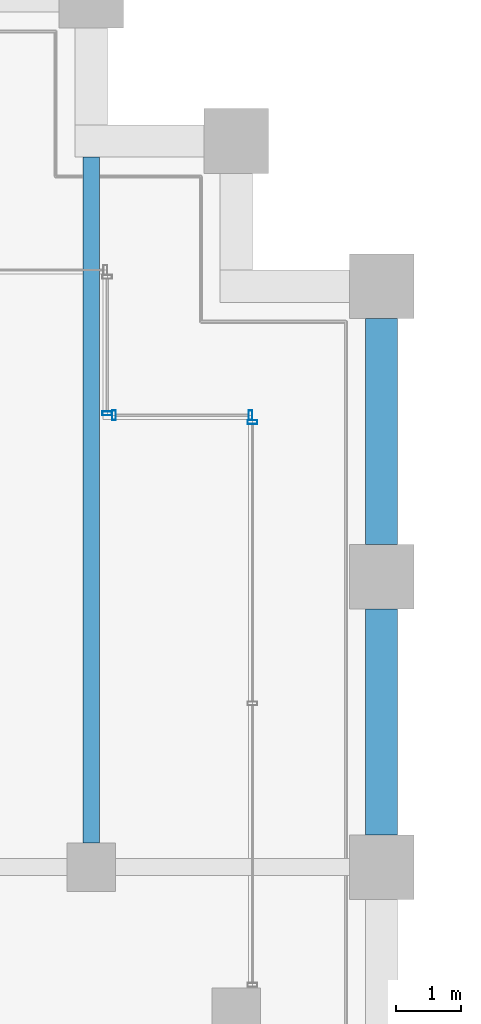
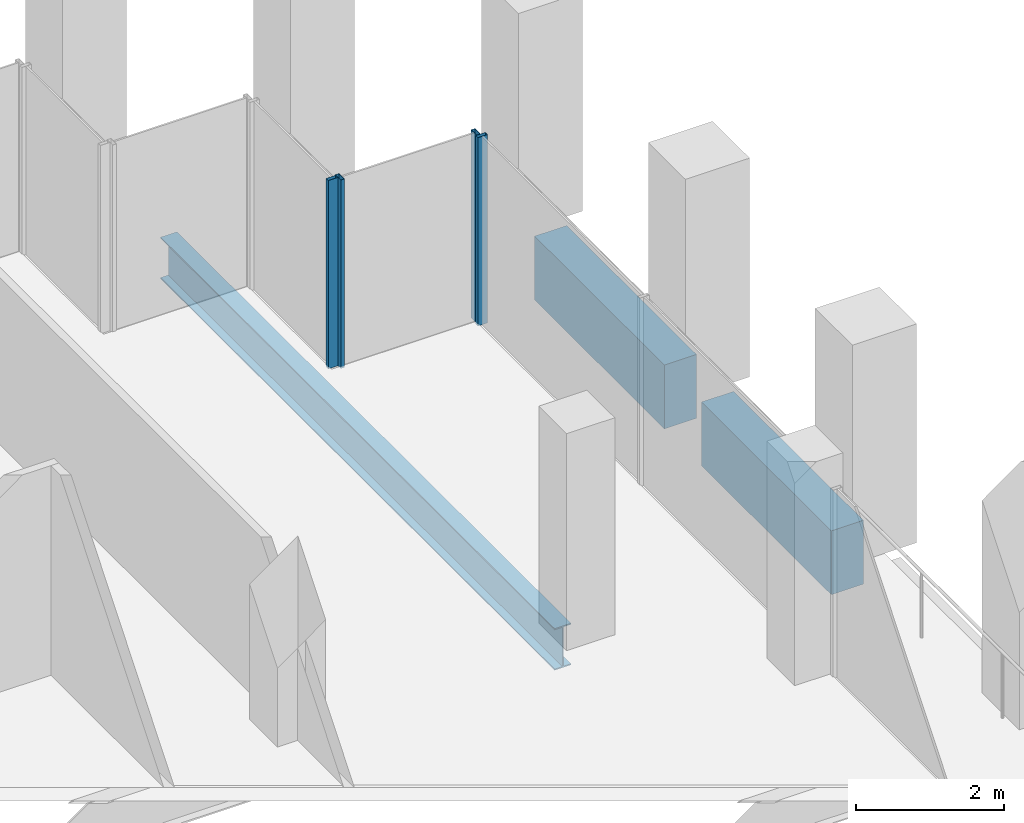
# One storey, part 25 of 46: 4 members, 3 beams, 3 elements without a shape of their own.
"""IFC4 building model written with IfcOpenShell, lengths in metres."""

from ifc_helpers import new_model, si_unit, direction, frame, origin, origin_2d, place, context, subcontext, project, spatial, rectangle, hollow_rectangle, i_section, extrude, material, material_profile, profile_set, type_object, element, aggregate, save


model = new_model("IFC4")

# Units and contexts
model_context = context("Model", 3, precision=1e-05, world=origin(), true_north=direction((0.0, 1.0)))
body_context = subcontext(model_context, "Body", "Model", "MODEL_VIEW")
ifc_project = project(units=[si_unit("LENGTHUNIT", "METRE"), si_unit("AREAUNIT", "SQUARE_METRE"), si_unit("VOLUMEUNIT", "CUBIC_METRE"), si_unit("PLANEANGLEUNIT", "RADIAN"), si_unit("MASSUNIT", "GRAM", prefix="KILO")], contexts=[model_context])

# Site, building, storey
site_placement = place(None, origin())
site = spatial("IfcSite", under=ifc_project, at=site_placement, CompositionType="ELEMENT")
building_placement = place(site_placement, origin())
building = spatial("IfcBuilding", under=site, at=building_placement, Name="Altepetl Exchange Towers", CompositionType="ELEMENT")
storey_placement = place(building_placement, frame((0.0, 0.0, 106.39990234375)))
storey = spatial("IfcBuildingStorey", under=building, at=storey_placement, Name="L26", CompositionType="ELEMENT", Elevation=106.39990234375)

# Beam
ifc_material_1 = material(Name="Steel S355", Category="steel")
ifc_material_profile_1 = material_profile(ifc_material_1, i_section(OverallWidth=0.25390625, OverallDepth=0.68408203125, WebThickness=0.012451171875, FlangeThickness=0.018798828125, at=origin_2d()), Name="W27X94")
ifc_profile_set_1 = profile_set([ifc_material_profile_1], Name="Steel S355")
beam_type_1 = type_object("IfcBeamType", Name="Floor beam W27X94", PredefinedType="BEAM", material=ifc_profile_set_1)
beam_placement = place(storey_placement, frame((67.5, 58.875, -0.491943359375), z_axis=(0.0, 1.0, 0.0), x_axis=(-1.0, 0.0, 0.0)))
element("IfcBeam", 1, at=beam_placement, inside=storey, type_object=beam_type_1, Name="bm:A:L26:005", PredefinedType="BEAM", context=body_context, shape_type="SweptSolid", body=[
    extrude(i_section(OverallWidth=0.25390625, OverallDepth=0.68408203125, WebThickness=0.012451171875, FlangeThickness=0.018798828125, at=origin_2d()), origin(), (0.0, 0.0, 1.0), 10.625),
])

# Curtain wall, member
ifc_material_2 = material(Name="Aluminium 6063-T6 glazing", Category="aluminium")
curtain_wall_type = type_object("IfcCurtainWallType", Name="Loggia glazing system", PredefinedType="NOTDEFINED", material=ifc_material_2)
curtain_wall_1_placement = place(storey_placement, origin())
curtain_wall_1 = element("IfcCurtainWall", 2, at=curtain_wall_1_placement, inside=storey, type_object=curtain_wall_type, Name="CW1 run", PredefinedType="NOTDEFINED")
ifc_material_3 = material(Name="Aluminium 6063-T6", Category="aluminium")
ifc_material_profile_2 = material_profile(ifc_material_3, hollow_rectangle(XDim=0.06005859375, YDim=0.14990234375, WallThickness=0.0029296875, at=origin_2d()), Name="Mullion 60x150 aluminium")
ifc_profile_set_2 = profile_set([ifc_material_profile_2], Name="Aluminium 6063-T6")
member_type = type_object("IfcMemberType", Name="Mullion 60x150 aluminium", PredefinedType="MULLION", material=ifc_profile_set_2)
member_1_placement = place(storey_placement, frame((70.0, 65.39501953125, 0.0), z_axis=(0.0, 0.0, 1.0), x_axis=(0.0, 1.0, 0.0)))
member_1 = element("IfcMember", 3, at=member_1_placement, type_object=member_type, Name="MU1 mullion", PredefinedType="MULLION", context=body_context, shape_type="SweptSolid", body=[
    extrude(hollow_rectangle(XDim=0.06005859375, YDim=0.14990234375, WallThickness=0.0029296875, at=origin_2d()), origin(), (0.0, 0.0, 1.0), 3.10009765625),
])
aggregate(curtain_wall_1, [member_1])

# Curtain wall, members
curtain_wall_2_placement = place(storey_placement, origin())
curtain_wall_2 = element("IfcCurtainWall", 4, at=curtain_wall_2_placement, inside=storey, type_object=curtain_wall_type, Name="CW1 run", PredefinedType="NOTDEFINED")
member_2_placement = place(storey_placement, frame((69.969970703125, 65.5, 0.0), z_axis=(0.0, 0.0, 1.0), x_axis=(-1.0, 0.0, 0.0)))
member_2 = element("IfcMember", 5, at=member_2_placement, type_object=member_type, Name="MU1 mullion", PredefinedType="MULLION", context=body_context, shape_type="SweptSolid", body=[
    extrude(hollow_rectangle(XDim=0.06005859375, YDim=0.14990234375, WallThickness=0.0029296875, at=origin_2d()), origin(), (0.0, 0.0, 1.0), 3.10009765625),
])
member_3_placement = place(storey_placement, frame((67.85498046875, 65.5, 0.0), z_axis=(0.0, 0.0, 1.0), x_axis=(-1.0, 0.0, 0.0)))
member_3 = element("IfcMember", 6, at=member_3_placement, type_object=member_type, Name="MU1 mullion", PredefinedType="MULLION", context=body_context, shape_type="SweptSolid", body=[
    extrude(hollow_rectangle(XDim=0.06005859375, YDim=0.14990234375, WallThickness=0.0029296875, at=origin_2d()), origin(), (0.0, 0.0, 1.0), 3.10009765625),
])
aggregate(curtain_wall_2, [member_2, member_3])

# Curtain wall, member
curtain_wall_3_placement = place(storey_placement, origin())
curtain_wall_3 = element("IfcCurtainWall", 7, at=curtain_wall_3_placement, inside=storey, type_object=curtain_wall_type, Name="CW1 run", PredefinedType="NOTDEFINED")
member_4_placement = place(storey_placement, frame((67.75, 65.530029296875, 0.0), z_axis=(0.0, 0.0, 1.0), x_axis=(0.0, 1.0, 0.0)))
member_4 = element("IfcMember", 8, at=member_4_placement, type_object=member_type, Name="MU1 mullion", PredefinedType="MULLION", context=body_context, shape_type="SweptSolid", body=[
    extrude(hollow_rectangle(XDim=0.06005859375, YDim=0.14990234375, WallThickness=0.0029296875, at=origin_2d()), origin(), (0.0, 0.0, 1.0), 3.10009765625),
])
aggregate(curtain_wall_3, [member_4])

# Beams
ifc_material_4 = material(Name="Concrete C50/60 precast with cantera rosa facing", Category="concrete")
ifc_material_profile_3 = material_profile(ifc_material_4, rectangle(XDim=0.5, YDim=1.050048828125, at=origin_2d()), Name="500 x 1050")
ifc_profile_set_3 = profile_set([ifc_material_profile_3], Name="Concrete C50/60 precast with cantera rosa facing")
beam_type_2 = type_object("IfcBeamType", Name="Spandrel beam 500x1050 cantera rosa", PredefinedType="SPANDREL", material=ifc_profile_set_3)
for number, where, z_axis, x_axis, name in (
    (9, (72.0, 59.0, -0.6748046875), (0.0, 1.0, 0.0), (-1.0, 0.0, 0.0), "sp:A:L26:018"),
    (10, (72.0, 63.5, -0.6748046875), (0.0, 1.0, 0.0), (-1.0, 0.0, 0.0), "sp:A:L26:019"),
):
    element("IfcBeam", number, at=place(storey_placement, frame(where, z_axis=z_axis, x_axis=x_axis)), inside=storey, type_object=beam_type_2, Name=name, PredefinedType="SPANDREL", context=body_context, shape_type="SweptSolid", body=[
        extrude(rectangle(XDim=0.5, YDim=1.050048828125, at=origin_2d()), origin(), (0.0, 0.0, 1.0), 3.5),
    ])

save(model, "model.ifc")
